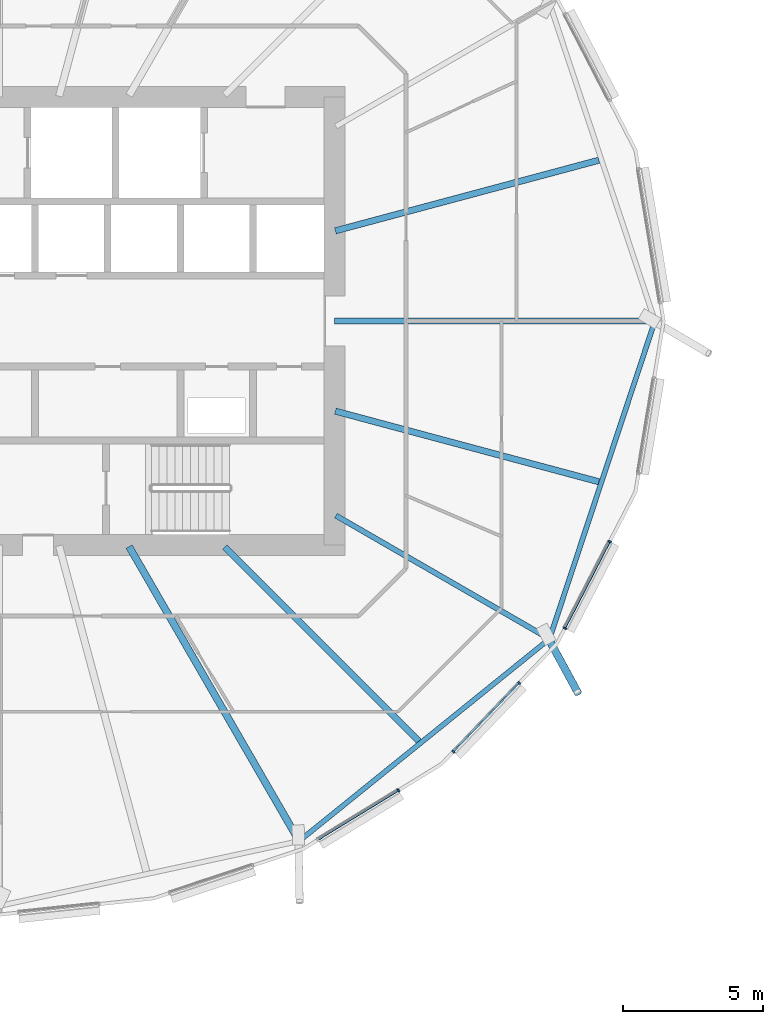
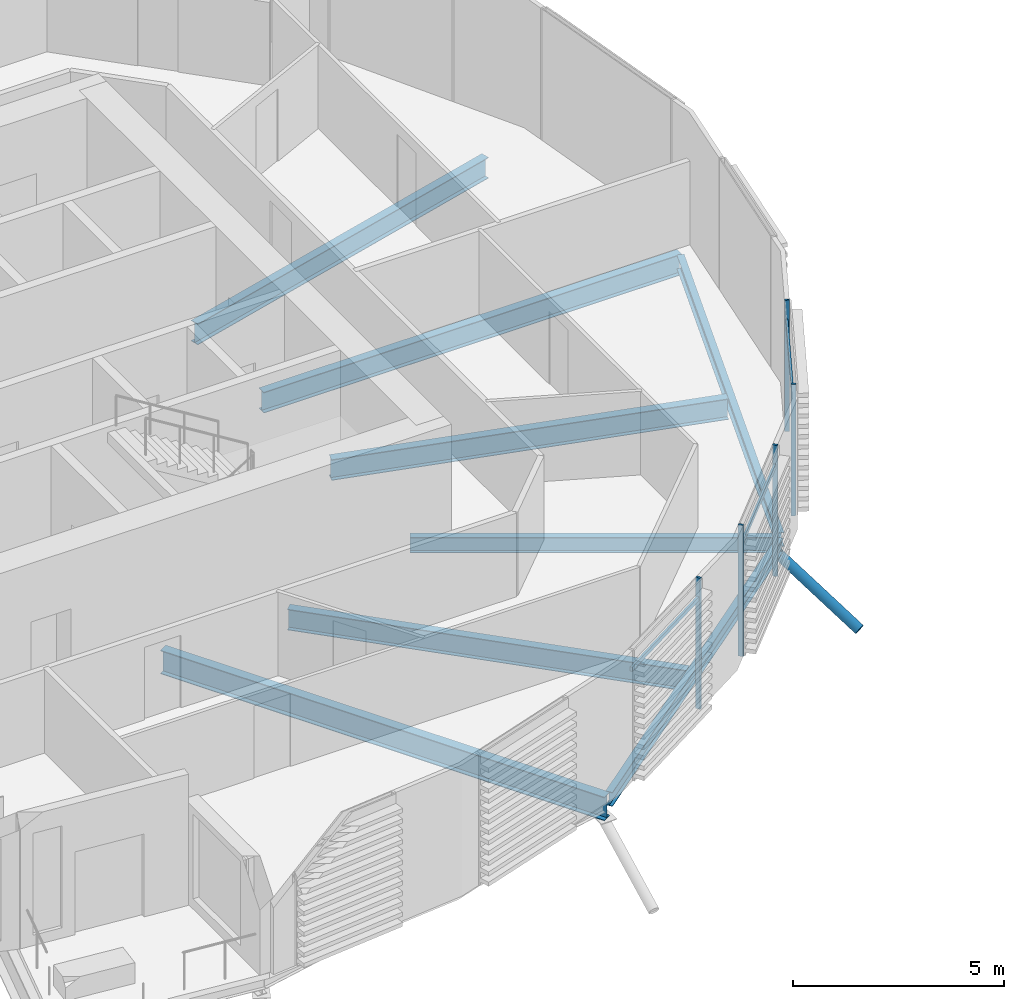
# One storey, part 7 of 43: 9 members, 8 beams, 1 element without a shape of its own.
"""IFC4 building model written with IfcOpenShell, lengths in metres."""

from ifc_helpers import new_model, si_unit, direction, frame, origin, origin_2d, place, context, subcontext, project, spatial, rectangle, hollow_circle, i_section, extrude, clip, halfspace, material, material_profile, profile_set, type_object, element, aggregate, save


model = new_model("IFC4")

# Units and contexts
model_context = context("Model", 3, precision=1e-05, world=origin(), true_north=direction((0.0, 1.0)))
body_context = subcontext(model_context, "Body", "Model", "MODEL_VIEW")
ifc_project = project(units=[si_unit("LENGTHUNIT", "METRE"), si_unit("AREAUNIT", "SQUARE_METRE"), si_unit("VOLUMEUNIT", "CUBIC_METRE"), si_unit("PLANEANGLEUNIT", "RADIAN"), si_unit("MASSUNIT", "GRAM", prefix="KILO")], contexts=[model_context])

# Site, building, storey
site_placement = place(None, origin())
site = spatial("IfcSite", under=ifc_project, at=site_placement, CompositionType="ELEMENT")
building_placement = place(site_placement, origin())
building = spatial("IfcBuilding", under=site, at=building_placement, Name="Rimbun Link Towers", CompositionType="ELEMENT")
storey_placement = place(building_placement, frame((0.0, 0.0, 81.60009765625)))
storey = spatial("IfcBuildingStorey", under=building, at=storey_placement, Name="L19", CompositionType="ELEMENT", Elevation=81.60009765625)

# Curtain wall, members
ifc_material_1 = material(Name="Aluminium 6063-T6 and low-iron glass", Category="aluminium")
curtain_wall_type = type_object("IfcCurtainWallType", Name="CW1-Z2 unitised vision wall (zone 2)", PredefinedType="NOTDEFINED", material=ifc_material_1)
curtain_wall_placement = place(storey_placement, origin())
curtain_wall = element("IfcCurtainWall", 1, at=curtain_wall_placement, inside=storey, type_object=curtain_wall_type, Name="CW1 L19 T1", PredefinedType="NOTDEFINED")
ifc_material_2 = material(Name="Aluminium 6063-T6", Category="aluminium")
ifc_material_profile_1 = material_profile(ifc_material_2, rectangle(XDim=0.1201171875, YDim=0.06005859375, at=origin_2d()), Name="MULLION 60X120")
ifc_profile_set_1 = profile_set([ifc_material_profile_1], Name="Aluminium 6063-T6")
member_type_1 = type_object("IfcMemberType", Name="CW1 mullion 60X120", PredefinedType="MULLION", material=ifc_profile_set_1)
member_1_placement = place(storey_placement, frame((-17.464111328125, -16.781494140625, 0.0), z_axis=(0.0, 0.0, 1.0), x_axis=(0.523237248968, -0.852187057689, 0.0)))
member_1 = element("IfcMember", 2, at=member_1_placement, type_object=member_type_1, Name="CW1 mullion", PredefinedType="MULLION", context=body_context, shape_type="SweptSolid", body=[
    extrude(rectangle(XDim=0.1201171875, YDim=0.06005859375, at=origin_2d()), origin(), (0.0, 0.0, 1.0), 3.7998046875),
])
member_2_placement = place(storey_placement, frame((-13.1494140625, -12.942138671875, 0.0), z_axis=(0.0, 0.0, 1.0), x_axis=(0.721839179549, -0.692060834658, 0.0)))
member_2 = element("IfcMember", 3, at=member_2_placement, type_object=member_type_1, Name="CW1 mullion", PredefinedType="MULLION", context=body_context, shape_type="SweptSolid", body=[
    extrude(rectangle(XDim=0.1201171875, YDim=0.06005859375, at=origin_2d()), origin(), (0.0, 0.0, 1.0), 3.7998046875),
])
member_3_placement = place(storey_placement, frame((-15.5029296875, -15.39697265625, 0.0), z_axis=(0.0, 0.0, 1.0), x_axis=(0.721839179549, -0.692060834658, 0.0)))
member_3 = element("IfcMember", 4, at=member_3_placement, type_object=member_type_1, Name="CW1 mullion", PredefinedType="MULLION", context=body_context, shape_type="SweptSolid", body=[
    extrude(rectangle(XDim=0.1201171875, YDim=0.06005859375, at=origin_2d()), origin(), (0.0, 0.0, 1.0), 3.7998046875),
])
member_4_placement = place(storey_placement, frame((-9.910400390625, -7.8876953125, 0.0), z_axis=(0.0, 0.0, 1.0), x_axis=(0.888154791602, -0.459544411514, 0.0)))
member_4 = element("IfcMember", 5, at=member_4_placement, type_object=member_type_1, Name="CW1 mullion", PredefinedType="MULLION", context=body_context, shape_type="SweptSolid", body=[
    extrude(rectangle(XDim=0.1201171875, YDim=0.06005859375, at=origin_2d()), origin(), (0.0, 0.0, 1.0), 3.7998046875),
])
member_5_placement = place(storey_placement, frame((-11.514404296875, -10.98779296875, 0.0), z_axis=(0.0, 0.0, 1.0), x_axis=(0.888154791602, -0.459544411514, 0.0)))
member_5 = element("IfcMember", 6, at=member_5_placement, type_object=member_type_1, Name="CW1 mullion", PredefinedType="MULLION", context=body_context, shape_type="SweptSolid", body=[
    extrude(rectangle(XDim=0.1201171875, YDim=0.06005859375, at=origin_2d()), origin(), (0.0, 0.0, 1.0), 3.7998046875),
])
ifc_material_3 = material(Name="Aluminium 6063-T6", Category="aluminium")
ifc_material_profile_2 = material_profile(ifc_material_3, rectangle(XDim=0.06005859375, YDim=0.1201171875, at=origin_2d()), Name="TRANSOM 60X120")
ifc_profile_set_2 = profile_set([ifc_material_profile_2], Name="Aluminium 6063-T6")
member_type_2 = type_object("IfcMemberType", Name="CW1 transom 60X120", PredefinedType="USERDEFINED", material=ifc_profile_set_2)
member_6_placement = place(storey_placement, frame((-17.49072265625, -16.79541015625, 3.199951171875), z_axis=(-0.852167775137, -0.523268652814, 0.0), x_axis=(0.523268652814, -0.852167775137, 0.0)))
member_6 = element("IfcMember", 7, at=member_6_placement, type_object=member_type_2, Name="CW1 transom", ObjectType="TRANSOM", PredefinedType="USERDEFINED", context=body_context, shape_type="SweptSolid", body=[
    extrude(rectangle(XDim=0.06005859375, YDim=0.1201171875, at=origin_2d()), origin(), (0.0, 0.0, 1.0), 3.321044921875),
])
member_7_placement = place(storey_placement, frame((-13.171630859375, -12.96240234375, 3.199951171875), z_axis=(-0.692078357172, -0.721822379491, 0.0), x_axis=(0.721822379491, -0.692078357172, 0.0)))
member_7 = element("IfcMember", 8, at=member_7_placement, type_object=member_type_2, Name="CW1 transom", ObjectType="TRANSOM", PredefinedType="USERDEFINED", context=body_context, shape_type="SweptSolid", body=[
    extrude(rectangle(XDim=0.06005859375, YDim=0.1201171875, at=origin_2d()), origin(), (0.0, 0.0, 1.0), 3.340576171875),
])
member_8_placement = place(storey_placement, frame((-9.92578125, -7.91357421875, 3.199951171875), z_axis=(-0.459554574482, -0.888149533059, 0.0), x_axis=(0.888149533059, -0.459554574482, 0.0)))
member_8 = element("IfcMember", 9, at=member_8_placement, type_object=member_type_2, Name="CW1 transom", ObjectType="TRANSOM", PredefinedType="USERDEFINED", context=body_context, shape_type="SweptSolid", body=[
    extrude(rectangle(XDim=0.06005859375, YDim=0.1201171875, at=origin_2d()), origin(), (0.0, 0.0, 1.0), 3.430419921875),
])
aggregate(curtain_wall, [member_1, member_2, member_3, member_4, member_5, member_6, member_7, member_8])

# Member
ifc_material_4 = material(Name="Steel S355J2H", Category="steel")
ifc_material_profile_3 = material_profile(ifc_material_4, hollow_circle(Radius=0.136474609375, WallThickness=0.012451171875, at=origin_2d()), Name="CHS 273x12.5")
ifc_profile_set_3 = profile_set([ifc_material_profile_3], Name="Steel S355J2H")
member_type_3 = type_object("IfcMemberType", Name="Floor edge link CHS 273x12.5", PredefinedType="BRACE", material=ifc_profile_set_3)
member_9_placement = place(storey_placement, frame((-12.109619140625, -11.33935546875, -0.72998046875), z_axis=(0.408420751256, -0.752191280358, -0.517108081253), x_axis=(0.878810151557, 0.477171580797, 0.0)))
element("IfcMember", 10, at=member_9_placement, inside=storey, type_object=member_type_3, Name="Floor edge link T1 L19 22", PredefinedType="BRACE", context=body_context, shape_type="Clipping", body=[
    clip(extrude(hollow_circle(Radius=0.136474609375, WallThickness=0.012451171875, at=origin_2d()), frame((0.0, 0.0, -0.47119140625)), (0.0, 0.0, 1.0), 3.076904296875), halfspace(frame((0.0, 0.0, -0.221435546875), z_axis=(0.0, 0.855920108598, -0.517108081253)), False)),
])

# Beams
ifc_material_5 = material(Name="Steel S355J2", Category="steel")
ifc_material_profile_4 = material_profile(ifc_material_5, i_section(OverallWidth=0.177978515625, OverallDepth=0.406494140625, WebThickness=0.0078125, FlangeThickness=0.0126953125, at=origin_2d()), Name="UB 406x178x60")
ifc_profile_set_4 = profile_set([ifc_material_profile_4], Name="Steel S355J2")
beam_type_1 = type_object("IfcBeamType", Name="UB 406x178x60", PredefinedType="BEAM", material=ifc_profile_set_4)
beam_1_placement = place(storey_placement, frame((-20.9150390625, -18.510986328125, -0.36328125), z_axis=(0.777961133356, 0.628312402383, 0.0), x_axis=(-0.628312402383, 0.777961133356, 0.0)))
element("IfcBeam", 11, at=beam_1_placement, inside=storey, type_object=beam_type_1, Name="Edge beam T1 L19 20-22", PredefinedType="BEAM", context=body_context, shape_type="SweptSolid", body=[
    extrude(i_section(OverallWidth=0.177978515625, OverallDepth=0.406494140625, WebThickness=0.0078125, FlangeThickness=0.0126953125, at=origin_2d()), origin(), (0.0, 0.0, 1.0), 11.271484375),
])
beam_2_placement = place(storey_placement, frame((-12.035400390625, -11.271484375, -0.36328125), z_axis=(0.314775544132, 0.949166137626, 0.0), x_axis=(-0.949166137626, 0.314775544132, 0.0)))
element("IfcBeam", 12, at=beam_2_placement, inside=storey, type_object=beam_type_1, Name="Edge beam T1 L19 22-00", PredefinedType="BEAM", context=body_context, shape_type="SweptSolid", body=[
    extrude(i_section(OverallWidth=0.177978515625, OverallDepth=0.406494140625, WebThickness=0.0078125, FlangeThickness=0.0126953125, at=origin_2d()), origin(), (0.0, 0.0, 1.0), 11.754150390625),
])
ifc_material_6 = material(Name="Steel S355J2", Category="steel")
ifc_material_profile_5 = material_profile(ifc_material_6, i_section(OverallWidth=0.18994140625, OverallDepth=0.453369140625, WebThickness=0.008544921875, FlangeThickness=0.0126953125, at=origin_2d()), Name="UB 457x191x67")
ifc_profile_set_5 = profile_set([ifc_material_profile_5], Name="Steel S355J2")
beam_type_2 = type_object("IfcBeamType", Name="UB 457x191x67", PredefinedType="BEAM", material=ifc_profile_set_5)
beam_3_placement = place(storey_placement, frame((-19.70166015625, -6.9560546875, -0.38671875), z_axis=(0.866014040261, -0.500019681684, 0.0), x_axis=(0.500019681684, 0.866014040261, 0.0)))
element("IfcBeam", 13, at=beam_3_placement, inside=storey, type_object=beam_type_2, Name="Radial beam T1 L19 22", PredefinedType="BEAM", context=body_context, shape_type="SweptSolid", body=[
    extrude(i_section(OverallWidth=0.18994140625, OverallDepth=0.453369140625, WebThickness=0.008544921875, FlangeThickness=0.0126953125, at=origin_2d()), origin(), (0.0, 0.0, 1.0), 8.816650390625),
])
ifc_material_7 = material(Name="Steel S355J2", Category="steel")
ifc_material_profile_6 = material_profile(ifc_material_7, i_section(OverallWidth=0.2275390625, OverallDepth=0.6025390625, WebThickness=0.010498046875, FlangeThickness=0.014892578125, at=origin_2d()), Name="UB 610x229x101")
ifc_profile_set_6 = profile_set([ifc_material_profile_6], Name="Steel S355J2")
beam_type_3 = type_object("IfcBeamType", Name="UB 610x229x101", PredefinedType="BEAM", material=ifc_profile_set_6)
beam_4_placement = place(storey_placement, frame((-19.7490234375, 0.0, -0.46142578125), z_axis=(1.0, 0.0, 0.0), x_axis=(0.0, 1.0, 0.0)))
element("IfcBeam", 14, at=beam_4_placement, inside=storey, type_object=beam_type_3, Name="Radial beam T1 L19 00", PredefinedType="BEAM", context=body_context, shape_type="SweptSolid", body=[
    extrude(i_section(OverallWidth=0.2275390625, OverallDepth=0.6025390625, WebThickness=0.010498046875, FlangeThickness=0.014892578125, at=origin_2d()), origin(), (0.0, 0.0, 1.0), 11.451416015625),
])
beam_5_placement = place(storey_placement, frame((-19.719482421875, 3.223388671875, -0.46142578125), z_axis=(0.965925146608, 0.258821581692, 0.0), x_axis=(-0.258821581692, 0.965925146608, 0.0)))
element("IfcBeam", 15, at=beam_5_placement, inside=storey, type_object=beam_type_3, Name="Radial beam T1 L19 01", PredefinedType="BEAM", context=body_context, shape_type="SweptSolid", body=[
    extrude(i_section(OverallWidth=0.2275390625, OverallDepth=0.6025390625, WebThickness=0.010498046875, FlangeThickness=0.014892578125, at=origin_2d()), origin(), (0.0, 0.0, 1.0), 9.75341796875),
])
beam_6_placement = place(storey_placement, frame((-23.668701171875, -8.081298828125, -0.46142578125), z_axis=(0.707106781187, -0.707106781187, 0.0), x_axis=(0.707106781187, 0.707106781187, 0.0)))
element("IfcBeam", 16, at=beam_6_placement, inside=storey, type_object=beam_type_3, Name="Radial beam T1 L19 21", PredefinedType="BEAM", context=body_context, shape_type="SweptSolid", body=[
    extrude(i_section(OverallWidth=0.2275390625, OverallDepth=0.6025390625, WebThickness=0.010498046875, FlangeThickness=0.014892578125, at=origin_2d()), origin(), (0.0, 0.0, 1.0), 9.809326171875),
])
beam_7_placement = place(storey_placement, frame((-19.719482421875, -3.223388671875, -0.46142578125), z_axis=(0.965925146608, -0.258821581692, 0.0), x_axis=(0.258821581692, 0.965925146608, 0.0)))
element("IfcBeam", 17, at=beam_7_placement, inside=storey, type_object=beam_type_3, Name="Radial beam T1 L19 23", PredefinedType="BEAM", context=body_context, shape_type="SweptSolid", body=[
    extrude(i_section(OverallWidth=0.2275390625, OverallDepth=0.6025390625, WebThickness=0.010498046875, FlangeThickness=0.014892578125, at=origin_2d()), origin(), (0.0, 0.0, 1.0), 9.75341796875),
])
ifc_material_8 = material(Name="Steel S355J2", Category="steel")
ifc_material_profile_7 = material_profile(ifc_material_8, i_section(OverallWidth=0.253662109375, OverallDepth=0.68359375, WebThickness=0.012451171875, FlangeThickness=0.01904296875, at=origin_2d()), Name="UB 686x254x140")
ifc_profile_set_7 = profile_set([ifc_material_profile_7], Name="Steel S355J2")
beam_type_4 = type_object("IfcBeamType", Name="UB 686x254x140", PredefinedType="BEAM", material=ifc_profile_set_7)
beam_8_placement = place(storey_placement, frame((-27.093994140625, -8.064208984375, -0.501953125), z_axis=(0.499998860433, -0.866026061713, 0.0), x_axis=(0.866026061713, 0.499998860433, 0.0)))
element("IfcBeam", 18, at=beam_8_placement, inside=storey, type_object=beam_type_4, Name="Radial beam T1 L19 20", PredefinedType="BEAM", context=body_context, shape_type="SweptSolid", body=[
    extrude(i_section(OverallWidth=0.253662109375, OverallDepth=0.68359375, WebThickness=0.012451171875, FlangeThickness=0.01904296875, at=origin_2d()), origin(), (0.0, 0.0, 1.0), 12.15673828125),
])

save(model, "model.ifc")
